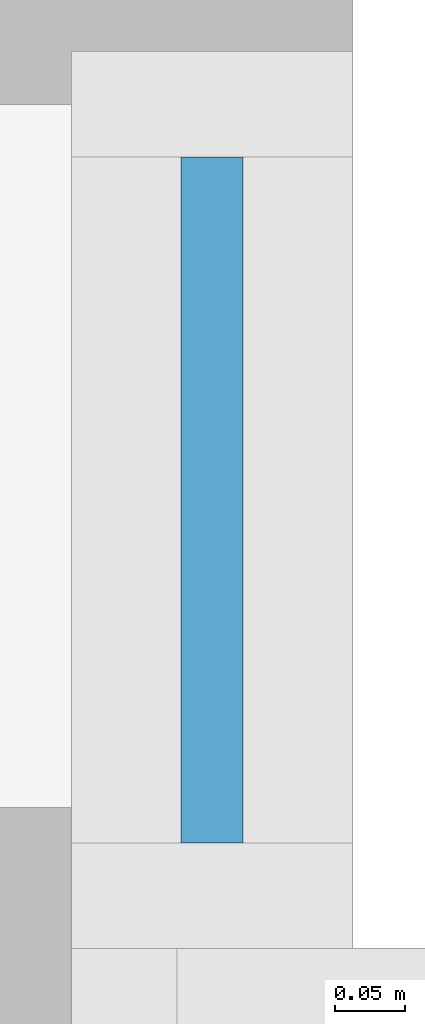
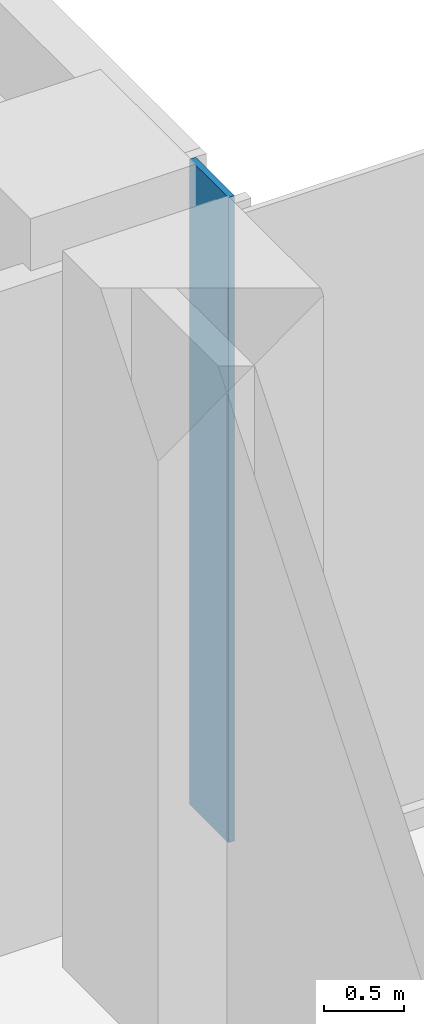
# One storey, part 13 of 30: 1 plate, 1 element without a shape of its own.
"""IFC4 building model written with IfcOpenShell, lengths in metres."""

from ifc_helpers import new_model, si_unit, direction, frame, origin, origin_2d, place, context, subcontext, project, spatial, rectangle, extrude, source, transform, mapped, material, layer, layer_set, type_object, element, aggregate, save


model = new_model("IFC4")

# Units and contexts
model_context = context("Model", 3, precision=1e-05, world=origin(), true_north=direction((0.0, 1.0)))
body_context = subcontext(model_context, "Body", "Model", "MODEL_VIEW")
ifc_project = project(units=[si_unit("LENGTHUNIT", "METRE"), si_unit("AREAUNIT", "SQUARE_METRE"), si_unit("VOLUMEUNIT", "CUBIC_METRE"), si_unit("PLANEANGLEUNIT", "RADIAN"), si_unit("MASSUNIT", "GRAM", prefix="KILO")], contexts=[model_context])

# Site, building, storey
site_placement = place(None, origin())
site = spatial("IfcSite", under=ifc_project, at=site_placement, CompositionType="ELEMENT")
building_placement = place(site_placement, origin())
building = spatial("IfcBuilding", under=site, at=building_placement, Name="Kemantara Hotel Tower", CompositionType="ELEMENT")
storey_placement = place(building_placement, frame((0.0, 0.0, 23.5)))
storey = spatial("IfcBuildingStorey", under=building, at=storey_placement, Name="L04", CompositionType="ELEMENT", Elevation=23.5)

# Curtain wall, plate
ifc_material = material(Name="Laminated tinted insulated glass 44 mm", Category="glass")
curtain_wall_type = type_object("IfcCurtainWallType", Name="PODIUM GLASS CURTAIN WALL", PredefinedType="USERDEFINED", material=ifc_material)
curtain_wall_placement = place(storey_placement, origin())
curtain_wall = element("IfcCurtainWall", 1, at=curtain_wall_placement, inside=storey, type_object=curtain_wall_type, Name="CW1 L04 POD-R08-1", ObjectType="PODIUM GLASS CURTAIN WALL", PredefinedType="USERDEFINED")
ifc_layer = layer(ifc_material, 0.0439453125)
ifc_layer_set = layer_set([ifc_layer], Name="Laminated tinted insulated glass 44 mm")
plate_type = type_object("IfcPlateType", Name="PODIUM GLASS CURTAIN WALL PANEL", PredefinedType="CURTAIN_PANEL", material=ifc_layer_set)
shared_shape = source(origin(), body_context, "Body", "SweptSolid", [
    extrude(rectangle(XDim=0.487548828125, YDim=0.0439453125, at=origin_2d()), origin(), (0.0, 0.0, 1.0), 4.949951171875),
])
plate_placement = place(storey_placement, frame((63.5, 27.11865234375, 0.14990234375), z_axis=(0.0, 0.0, 1.0), x_axis=(0.0, 1.0, 0.0)))
plate = element("IfcPlate", 2, at=plate_placement, type_object=plate_type, Name="CW1 glass panel POD-R08-1.1", PredefinedType="CURTAIN_PANEL", context=body_context, shape_type="MappedRepresentation", body=[
    mapped(shared_shape, transform((0.0, 0.0, 0.0))),
])
aggregate(curtain_wall, [plate])

save(model, "model.ifc")
